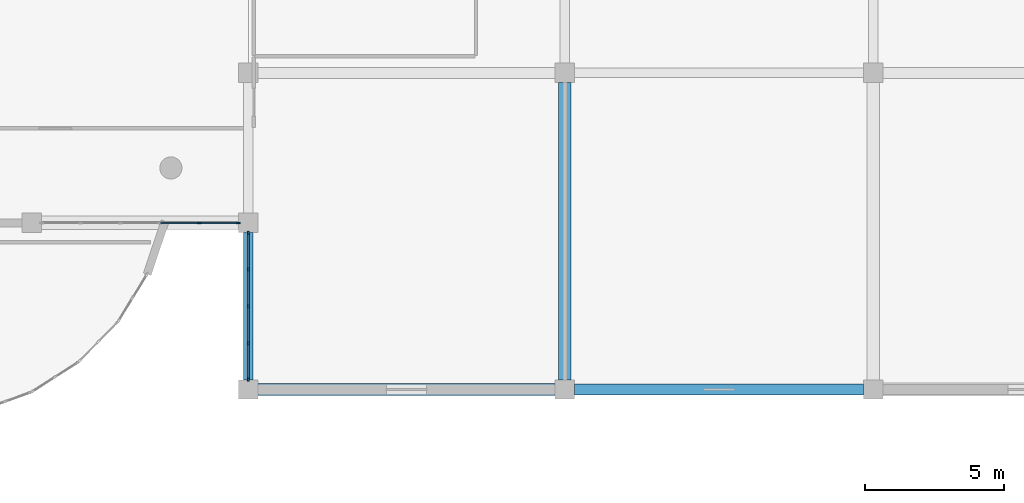
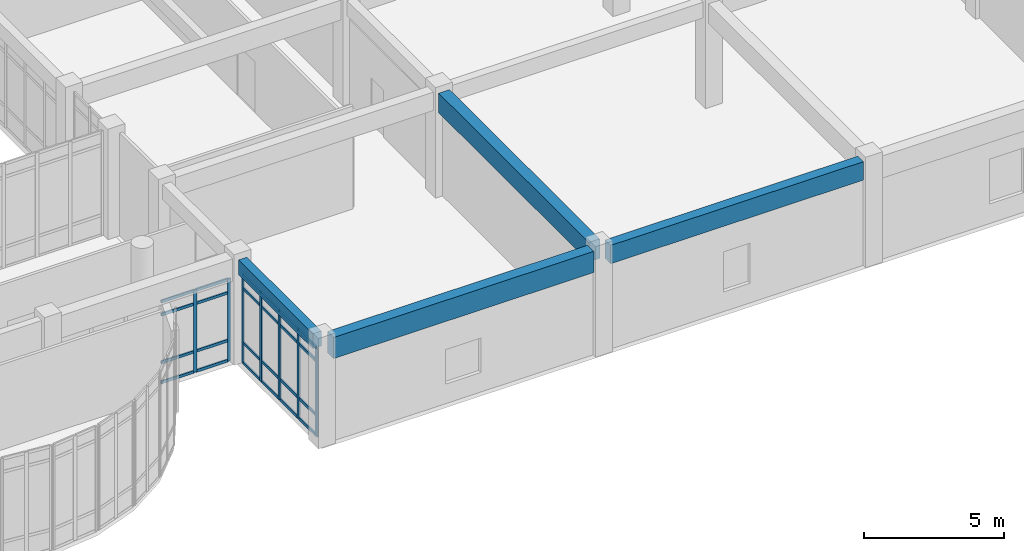
# One storey, part 23 of 65: 31 members, 4 beams, 2 elements without a shape of their own.
"""IFC4 building model written with IfcOpenShell, lengths in metres."""

from ifc_helpers import new_model, si_unit, direction, frame, origin, origin_2d, place, context, subcontext, project, spatial, rectangle, extrude, material, layer, layer_set, material_profile, profile_set, type_object, element, aggregate, save


model = new_model("IFC4")

# Units and contexts
model_context = context("Model", 3, precision=1e-05, world=origin(), true_north=direction((0.0, 1.0)))
body_context = subcontext(model_context, "Body", "Model", "MODEL_VIEW")
ifc_project = project(units=[si_unit("LENGTHUNIT", "METRE"), si_unit("AREAUNIT", "SQUARE_METRE"), si_unit("VOLUMEUNIT", "CUBIC_METRE"), si_unit("PLANEANGLEUNIT", "RADIAN"), si_unit("MASSUNIT", "GRAM", prefix="KILO")], contexts=[model_context])

# Site, building, storey
site_placement = place(None, origin())
site = spatial("IfcSite", under=ifc_project, at=site_placement, CompositionType="ELEMENT")
building_placement = place(site_placement, origin())
building = spatial("IfcBuilding", under=site, at=building_placement, Name="Miralva Faculty of Natural Sciences", CompositionType="ELEMENT")
storey_placement = place(building_placement, frame((0.0, 0.0, 10.199951171875)))
storey = spatial("IfcBuildingStorey", under=building, at=storey_placement, Name="L02", CompositionType="ELEMENT", Elevation=10.199951171875)

# Beams
ifc_material_1 = material(Name="Concrete C40/50", Category="concrete")
ifc_material_profile_1 = material_profile(ifc_material_1, rectangle(XDim=0.449951171875, YDim=0.85009765625, at=origin_2d()), Name="RC 450x850")
ifc_profile_set_1 = profile_set([ifc_material_profile_1], Name="Concrete C40/50")
beam_type_1 = type_object("IfcBeamType", Name="BM-B01", PredefinedType="BEAM", material=ifc_profile_set_1)
beam_1_placement = place(storey_placement, frame((145.199951171875, 12.35009765625, 4.094970703125), z_axis=(0.0, 1.0, 0.0), x_axis=(-1.0, 0.0, 0.0)))
element("IfcBeam", 1, at=beam_1_placement, inside=storey, type_object=beam_type_1, Name="Girder NS L02-127", PredefinedType="BEAM", context=body_context, shape_type="SweptSolid", body=[
    extrude(rectangle(XDim=0.449951171875, YDim=0.85009765625, at=origin_2d()), origin(), (0.0, 0.0, 1.0), 10.699951171875),
])
ifc_material_profile_2 = material_profile(ifc_material_1, rectangle(XDim=0.39990234375, YDim=0.800048828125, at=origin_2d()), Name="RC 400x800")
ifc_profile_set_2 = profile_set([ifc_material_profile_2], Name="Concrete C40/50")
beam_type_2 = type_object("IfcBeamType", Name="BM-B02", PredefinedType="BEAM", material=ifc_profile_set_2)
beam_2_placement = place(storey_placement, frame((145.550048828125, 12.0, 4.1201171875), z_axis=(1.0, 0.0, 0.0), x_axis=(0.0, 1.0, 0.0)))
element("IfcBeam", 2, at=beam_2_placement, inside=storey, type_object=beam_type_2, Name="Girder EW L02-12", PredefinedType="BEAM", context=body_context, shape_type="SweptSolid", body=[
    extrude(rectangle(XDim=0.39990234375, YDim=0.800048828125, at=origin_2d()), origin(), (0.0, 0.0, 1.0), 10.39990234375),
])
ifc_material_profile_3 = material_profile(ifc_material_1, rectangle(XDim=0.35009765625, YDim=0.64990234375, at=origin_2d()), Name="RC 350x650")
ifc_profile_set_3 = profile_set([ifc_material_profile_3], Name="Concrete C40/50")
beam_type_3 = type_object("IfcBeamType", Name="BM-B05", PredefinedType="BEAM", material=ifc_profile_set_3)
beam_3_placement = place(storey_placement, frame((133.800048828125, 12.35009765625, 4.195068359375), z_axis=(0.0, 1.0, 0.0), x_axis=(-1.0, 0.0, 0.0)))
element("IfcBeam", 3, at=beam_3_placement, inside=storey, type_object=beam_type_3, Name="Girder NS L02-120", PredefinedType="BEAM", context=body_context, shape_type="SweptSolid", body=[
    extrude(rectangle(XDim=0.35009765625, YDim=0.64990234375, at=origin_2d()), origin(), (0.0, 0.0, 1.0), 5.2998046875),
])
ifc_material_profile_4 = material_profile(ifc_material_1, rectangle(XDim=0.43994140625, YDim=0.919921875, at=origin_2d()), Name="RC 440x920")
ifc_profile_set_4 = profile_set([ifc_material_profile_4], Name="Concrete C40/50")
beam_type_4 = type_object("IfcBeamType", Name="BM-BG14", PredefinedType="BEAM", material=ifc_profile_set_4)
beam_4_placement = place(storey_placement, frame((134.14990234375, 12.0, 4.06005859375), z_axis=(1.0, 0.0, 0.0), x_axis=(0.0, 1.0, 0.0)))
element("IfcBeam", 4, at=beam_4_placement, inside=storey, type_object=beam_type_4, Name="Girder EW L02-11", PredefinedType="BEAM", context=body_context, shape_type="SweptSolid", body=[
    extrude(rectangle(XDim=0.43994140625, YDim=0.919921875, at=origin_2d()), origin(), (0.0, 0.0, 1.0), 10.7001953125),
])

# Curtain wall, members
ifc_material_2 = material(Name="Laminated solar-control glass", Category="glass")
ifc_layer = layer(ifc_material_2, 0.179931640625, Name="CW-COM-L01")
ifc_layer_set = layer_set([ifc_layer], Name="Laminated solar-control glass")
curtain_wall_type = type_object("IfcCurtainWallType", Name="CW-COM-L01", PredefinedType="USERDEFINED", material=ifc_layer_set)
curtain_wall_1_placement = place(storey_placement, origin())
curtain_wall_1 = element("IfcCurtainWall", 5, at=curtain_wall_1_placement, inside=storey, type_object=curtain_wall_type, Name="Curtain wall CW-10 L02-268", ObjectType="UNITISED CURTAIN WALL", PredefinedType="USERDEFINED")
ifc_material_3 = material(Name="Anodised aluminium", Category="aluminium")
ifc_material_profile_5 = material_profile(ifc_material_3, rectangle(XDim=0.06005859375, YDim=0.139892578125, at=origin_2d()), Name="MULLION 60x140")
ifc_profile_set_5 = profile_set([ifc_material_profile_5], Name="Anodised aluminium")
member_type_1 = type_object("IfcMemberType", Name="CW-M03", PredefinedType="MULLION", material=ifc_profile_set_5)
member_1_placement = place(storey_placement, frame((133.800048828125, 12.364990234375, 0.0), z_axis=(0.0, 0.0, 1.0), x_axis=(-1.0, 0.0, 0.0)))
member_1 = element("IfcMember", 6, at=member_1_placement, type_object=member_type_1, Name="CW-10 mullion 1", PredefinedType="MULLION", context=body_context, shape_type="SweptSolid", body=[
    extrude(rectangle(XDim=0.06005859375, YDim=0.139892578125, at=origin_2d()), origin(), (0.0, 0.0, 1.0), 3.864990234375),
])
member_2_placement = place(storey_placement, frame((133.800048828125, 13.66748046875, 0.0), z_axis=(0.0, 0.0, 1.0), x_axis=(-1.0, 0.0, 0.0)))
member_2 = element("IfcMember", 7, at=member_2_placement, type_object=member_type_1, Name="CW-10 mullion 2", PredefinedType="MULLION", context=body_context, shape_type="SweptSolid", body=[
    extrude(rectangle(XDim=0.06005859375, YDim=0.139892578125, at=origin_2d()), origin(), (0.0, 0.0, 1.0), 3.864990234375),
])
member_3_placement = place(storey_placement, frame((133.800048828125, 15.0, 0.0), z_axis=(0.0, 0.0, 1.0), x_axis=(-1.0, 0.0, 0.0)))
member_3 = element("IfcMember", 8, at=member_3_placement, type_object=member_type_1, Name="CW-10 mullion 3", PredefinedType="MULLION", context=body_context, shape_type="SweptSolid", body=[
    extrude(rectangle(XDim=0.06005859375, YDim=0.139892578125, at=origin_2d()), origin(), (0.0, 0.0, 1.0), 3.864990234375),
])
member_4_placement = place(storey_placement, frame((133.800048828125, 16.33251953125, 0.0), z_axis=(0.0, 0.0, 1.0), x_axis=(-1.0, 0.0, 0.0)))
member_4 = element("IfcMember", 9, at=member_4_placement, type_object=member_type_1, Name="CW-10 mullion 4", PredefinedType="MULLION", context=body_context, shape_type="SweptSolid", body=[
    extrude(rectangle(XDim=0.06005859375, YDim=0.139892578125, at=origin_2d()), origin(), (0.0, 0.0, 1.0), 3.864990234375),
])
member_5_placement = place(storey_placement, frame((133.800048828125, 17.635009765625, 0.0), z_axis=(0.0, 0.0, 1.0), x_axis=(-1.0, 0.0, 0.0)))
member_5 = element("IfcMember", 10, at=member_5_placement, type_object=member_type_1, Name="CW-10 mullion 5", PredefinedType="MULLION", context=body_context, shape_type="SweptSolid", body=[
    extrude(rectangle(XDim=0.06005859375, YDim=0.139892578125, at=origin_2d()), origin(), (0.0, 0.0, 1.0), 3.864990234375),
])

curtain_wall_2_placement = place(storey_placement, origin())
curtain_wall_2 = element("IfcCurtainWall", 11, at=curtain_wall_2_placement, inside=storey, type_object=curtain_wall_type, Name="Curtain wall CW-10 L02-296", ObjectType="UNITISED CURTAIN WALL", PredefinedType="USERDEFINED")
member_6_placement = place(storey_placement, frame((132.0390625, 18.0, 0.0), z_axis=(0.0, 0.0, 1.0), x_axis=(0.0, 1.0, 0.0)))
member_6 = element("IfcMember", 12, at=member_6_placement, type_object=member_type_1, Name="CW-10 mullion 5", PredefinedType="MULLION", context=body_context, shape_type="SweptSolid", body=[
    extrude(rectangle(XDim=0.06005859375, YDim=0.139892578125, at=origin_2d()), origin(), (0.0, 0.0, 1.0), 3.574951171875),
])
member_7_placement = place(storey_placement, frame((133.43505859375, 18.0, 0.0), z_axis=(0.0, 0.0, 1.0), x_axis=(0.0, 1.0, 0.0)))
member_7 = element("IfcMember", 13, at=member_7_placement, type_object=member_type_1, Name="CW-10 mullion 6", PredefinedType="MULLION", context=body_context, shape_type="SweptSolid", body=[
    extrude(rectangle(XDim=0.06005859375, YDim=0.139892578125, at=origin_2d()), origin(), (0.0, 0.0, 1.0), 3.574951171875),
])

# Member
ifc_material_profile_6 = material_profile(ifc_material_3, rectangle(XDim=0.06005859375, YDim=0.1201171875, at=origin_2d()), Name="TRANSOM 60x120")
ifc_profile_set_6 = profile_set([ifc_material_profile_6], Name="Anodised aluminium")
member_type_2 = type_object("IfcMemberType", Name="CW-T02", PredefinedType="USERDEFINED", material=ifc_profile_set_6)
member_8_placement = place(storey_placement, frame((133.800048828125, 12.39501953125, 0.030029296875), z_axis=(0.0, 1.0, 0.0), x_axis=(-1.0, 0.0, 0.0)))
member_8 = element("IfcMember", 14, at=member_8_placement, type_object=member_type_2, Name="CW-10 transom 1.1", ObjectType="TRANSOM", PredefinedType="USERDEFINED", context=body_context, shape_type="SweptSolid", body=[
    extrude(rectangle(XDim=0.06005859375, YDim=0.1201171875, at=origin_2d()), origin(), (0.0, 0.0, 1.0), 1.242431640625),
])

member_9_placement = place(storey_placement, frame((133.800048828125, 12.39501953125, 0.900146484375), z_axis=(0.0, 1.0, 0.0), x_axis=(-1.0, 0.0, 0.0)))
member_9 = element("IfcMember", 15, at=member_9_placement, type_object=member_type_2, Name="CW-10 transom 1.2", ObjectType="TRANSOM", PredefinedType="USERDEFINED", context=body_context, shape_type="SweptSolid", body=[
    extrude(rectangle(XDim=0.06005859375, YDim=0.1201171875, at=origin_2d()), origin(), (0.0, 0.0, 1.0), 1.242431640625),
])

member_10_placement = place(storey_placement, frame((133.800048828125, 12.39501953125, 3.26513671875), z_axis=(0.0, 1.0, 0.0), x_axis=(-1.0, 0.0, 0.0)))
member_10 = element("IfcMember", 16, at=member_10_placement, type_object=member_type_2, Name="CW-10 transom 1.3", ObjectType="TRANSOM", PredefinedType="USERDEFINED", context=body_context, shape_type="SweptSolid", body=[
    extrude(rectangle(XDim=0.06005859375, YDim=0.1201171875, at=origin_2d()), origin(), (0.0, 0.0, 1.0), 1.242431640625),
])

member_11_placement = place(storey_placement, frame((133.800048828125, 12.39501953125, 3.8349609375), z_axis=(0.0, 1.0, 0.0), x_axis=(-1.0, 0.0, 0.0)))
member_11 = element("IfcMember", 17, at=member_11_placement, type_object=member_type_2, Name="CW-10 transom 1.4", ObjectType="TRANSOM", PredefinedType="USERDEFINED", context=body_context, shape_type="SweptSolid", body=[
    extrude(rectangle(XDim=0.06005859375, YDim=0.1201171875, at=origin_2d()), origin(), (0.0, 0.0, 1.0), 1.242431640625),
])

member_12_placement = place(storey_placement, frame((133.800048828125, 13.697509765625, 0.030029296875), z_axis=(0.0, 1.0, 0.0), x_axis=(-1.0, 0.0, 0.0)))
member_12 = element("IfcMember", 18, at=member_12_placement, type_object=member_type_2, Name="CW-10 transom 2.1", ObjectType="TRANSOM", PredefinedType="USERDEFINED", context=body_context, shape_type="SweptSolid", body=[
    extrude(rectangle(XDim=0.06005859375, YDim=0.1201171875, at=origin_2d()), origin(), (0.0, 0.0, 1.0), 1.2724609375),
])

member_13_placement = place(storey_placement, frame((133.800048828125, 13.697509765625, 0.900146484375), z_axis=(0.0, 1.0, 0.0), x_axis=(-1.0, 0.0, 0.0)))
member_13 = element("IfcMember", 19, at=member_13_placement, type_object=member_type_2, Name="CW-10 transom 2.2", ObjectType="TRANSOM", PredefinedType="USERDEFINED", context=body_context, shape_type="SweptSolid", body=[
    extrude(rectangle(XDim=0.06005859375, YDim=0.1201171875, at=origin_2d()), origin(), (0.0, 0.0, 1.0), 1.2724609375),
])

member_14_placement = place(storey_placement, frame((133.800048828125, 13.697509765625, 3.26513671875), z_axis=(0.0, 1.0, 0.0), x_axis=(-1.0, 0.0, 0.0)))
member_14 = element("IfcMember", 20, at=member_14_placement, type_object=member_type_2, Name="CW-10 transom 2.3", ObjectType="TRANSOM", PredefinedType="USERDEFINED", context=body_context, shape_type="SweptSolid", body=[
    extrude(rectangle(XDim=0.06005859375, YDim=0.1201171875, at=origin_2d()), origin(), (0.0, 0.0, 1.0), 1.2724609375),
])

member_15_placement = place(storey_placement, frame((133.800048828125, 13.697509765625, 3.8349609375), z_axis=(0.0, 1.0, 0.0), x_axis=(-1.0, 0.0, 0.0)))
member_15 = element("IfcMember", 21, at=member_15_placement, type_object=member_type_2, Name="CW-10 transom 2.4", ObjectType="TRANSOM", PredefinedType="USERDEFINED", context=body_context, shape_type="SweptSolid", body=[
    extrude(rectangle(XDim=0.06005859375, YDim=0.1201171875, at=origin_2d()), origin(), (0.0, 0.0, 1.0), 1.2724609375),
])

member_16_placement = place(storey_placement, frame((133.800048828125, 15.030029296875, 0.030029296875), z_axis=(0.0, 1.0, 0.0), x_axis=(-1.0, 0.0, 0.0)))
member_16 = element("IfcMember", 22, at=member_16_placement, type_object=member_type_2, Name="CW-10 transom 3.1", ObjectType="TRANSOM", PredefinedType="USERDEFINED", context=body_context, shape_type="SweptSolid", body=[
    extrude(rectangle(XDim=0.06005859375, YDim=0.1201171875, at=origin_2d()), origin(), (0.0, 0.0, 1.0), 1.2724609375),
])

member_17_placement = place(storey_placement, frame((133.800048828125, 15.030029296875, 0.900146484375), z_axis=(0.0, 1.0, 0.0), x_axis=(-1.0, 0.0, 0.0)))
member_17 = element("IfcMember", 23, at=member_17_placement, type_object=member_type_2, Name="CW-10 transom 3.2", ObjectType="TRANSOM", PredefinedType="USERDEFINED", context=body_context, shape_type="SweptSolid", body=[
    extrude(rectangle(XDim=0.06005859375, YDim=0.1201171875, at=origin_2d()), origin(), (0.0, 0.0, 1.0), 1.2724609375),
])

member_18_placement = place(storey_placement, frame((133.800048828125, 15.030029296875, 3.26513671875), z_axis=(0.0, 1.0, 0.0), x_axis=(-1.0, 0.0, 0.0)))
member_18 = element("IfcMember", 24, at=member_18_placement, type_object=member_type_2, Name="CW-10 transom 3.3", ObjectType="TRANSOM", PredefinedType="USERDEFINED", context=body_context, shape_type="SweptSolid", body=[
    extrude(rectangle(XDim=0.06005859375, YDim=0.1201171875, at=origin_2d()), origin(), (0.0, 0.0, 1.0), 1.2724609375),
])

member_19_placement = place(storey_placement, frame((133.800048828125, 15.030029296875, 3.8349609375), z_axis=(0.0, 1.0, 0.0), x_axis=(-1.0, 0.0, 0.0)))
member_19 = element("IfcMember", 25, at=member_19_placement, type_object=member_type_2, Name="CW-10 transom 3.4", ObjectType="TRANSOM", PredefinedType="USERDEFINED", context=body_context, shape_type="SweptSolid", body=[
    extrude(rectangle(XDim=0.06005859375, YDim=0.1201171875, at=origin_2d()), origin(), (0.0, 0.0, 1.0), 1.2724609375),
])

member_20_placement = place(storey_placement, frame((133.800048828125, 16.362548828125, 0.030029296875), z_axis=(0.0, 1.0, 0.0), x_axis=(-1.0, 0.0, 0.0)))
member_20 = element("IfcMember", 26, at=member_20_placement, type_object=member_type_2, Name="CW-10 transom 4.1", ObjectType="TRANSOM", PredefinedType="USERDEFINED", context=body_context, shape_type="SweptSolid", body=[
    extrude(rectangle(XDim=0.06005859375, YDim=0.1201171875, at=origin_2d()), origin(), (0.0, 0.0, 1.0), 1.242431640625),
])

member_21_placement = place(storey_placement, frame((133.800048828125, 16.362548828125, 0.900146484375), z_axis=(0.0, 1.0, 0.0), x_axis=(-1.0, 0.0, 0.0)))
member_21 = element("IfcMember", 27, at=member_21_placement, type_object=member_type_2, Name="CW-10 transom 4.2", ObjectType="TRANSOM", PredefinedType="USERDEFINED", context=body_context, shape_type="SweptSolid", body=[
    extrude(rectangle(XDim=0.06005859375, YDim=0.1201171875, at=origin_2d()), origin(), (0.0, 0.0, 1.0), 1.242431640625),
])

member_22_placement = place(storey_placement, frame((133.800048828125, 16.362548828125, 3.26513671875), z_axis=(0.0, 1.0, 0.0), x_axis=(-1.0, 0.0, 0.0)))
member_22 = element("IfcMember", 28, at=member_22_placement, type_object=member_type_2, Name="CW-10 transom 4.3", ObjectType="TRANSOM", PredefinedType="USERDEFINED", context=body_context, shape_type="SweptSolid", body=[
    extrude(rectangle(XDim=0.06005859375, YDim=0.1201171875, at=origin_2d()), origin(), (0.0, 0.0, 1.0), 1.242431640625),
])

member_23_placement = place(storey_placement, frame((133.800048828125, 16.362548828125, 3.8349609375), z_axis=(0.0, 1.0, 0.0), x_axis=(-1.0, 0.0, 0.0)))
member_23 = element("IfcMember", 29, at=member_23_placement, type_object=member_type_2, Name="CW-10 transom 4.4", ObjectType="TRANSOM", PredefinedType="USERDEFINED", context=body_context, shape_type="SweptSolid", body=[
    extrude(rectangle(XDim=0.06005859375, YDim=0.1201171875, at=origin_2d()), origin(), (0.0, 0.0, 1.0), 1.242431640625),
])

aggregate(curtain_wall_1, [member_1, member_2, member_3, member_4, member_5, member_8, member_9, member_10, member_11, member_12, member_13, member_14, member_15, member_16, member_17, member_18, member_19, member_20, member_21, member_22, member_23])

member_24_placement = place(storey_placement, frame((130.64306640625, 18.0, 0.030029296875), z_axis=(1.0, 0.0, 0.0), x_axis=(0.0, 1.0, 0.0)))
member_24 = element("IfcMember", 30, at=member_24_placement, type_object=member_type_2, Name="CW-10 transom 4.1", ObjectType="TRANSOM", PredefinedType="USERDEFINED", context=body_context, shape_type="SweptSolid", body=[
    extrude(rectangle(XDim=0.06005859375, YDim=0.1201171875, at=origin_2d()), origin(), (0.0, 0.0, 1.0), 1.365966796875),
])

member_25_placement = place(storey_placement, frame((130.64306640625, 18.0, 0.900146484375), z_axis=(1.0, 0.0, 0.0), x_axis=(0.0, 1.0, 0.0)))
member_25 = element("IfcMember", 31, at=member_25_placement, type_object=member_type_2, Name="CW-10 transom 4.2", ObjectType="TRANSOM", PredefinedType="USERDEFINED", context=body_context, shape_type="SweptSolid", body=[
    extrude(rectangle(XDim=0.06005859375, YDim=0.1201171875, at=origin_2d()), origin(), (0.0, 0.0, 1.0), 1.365966796875),
])

member_26_placement = place(storey_placement, frame((130.64306640625, 18.0, 2.97509765625), z_axis=(1.0, 0.0, 0.0), x_axis=(0.0, 1.0, 0.0)))
member_26 = element("IfcMember", 32, at=member_26_placement, type_object=member_type_2, Name="CW-10 transom 4.3", ObjectType="TRANSOM", PredefinedType="USERDEFINED", context=body_context, shape_type="SweptSolid", body=[
    extrude(rectangle(XDim=0.06005859375, YDim=0.1201171875, at=origin_2d()), origin(), (0.0, 0.0, 1.0), 1.365966796875),
])

member_27_placement = place(storey_placement, frame((130.64306640625, 18.0, 3.545166015625), z_axis=(1.0, 0.0, 0.0), x_axis=(0.0, 1.0, 0.0)))
member_27 = element("IfcMember", 33, at=member_27_placement, type_object=member_type_2, Name="CW-10 transom 4.4", ObjectType="TRANSOM", PredefinedType="USERDEFINED", context=body_context, shape_type="SweptSolid", body=[
    extrude(rectangle(XDim=0.06005859375, YDim=0.1201171875, at=origin_2d()), origin(), (0.0, 0.0, 1.0), 1.365966796875),
])

member_28_placement = place(storey_placement, frame((132.069091796875, 18.0, 0.030029296875), z_axis=(1.0, 0.0, 0.0), x_axis=(0.0, 1.0, 0.0)))
member_28 = element("IfcMember", 34, at=member_28_placement, type_object=member_type_2, Name="CW-10 transom 5.1", ObjectType="TRANSOM", PredefinedType="USERDEFINED", context=body_context, shape_type="SweptSolid", body=[
    extrude(rectangle(XDim=0.06005859375, YDim=0.1201171875, at=origin_2d()), origin(), (0.0, 0.0, 1.0), 1.3359375),
])

member_29_placement = place(storey_placement, frame((132.069091796875, 18.0, 0.900146484375), z_axis=(1.0, 0.0, 0.0), x_axis=(0.0, 1.0, 0.0)))
member_29 = element("IfcMember", 35, at=member_29_placement, type_object=member_type_2, Name="CW-10 transom 5.2", ObjectType="TRANSOM", PredefinedType="USERDEFINED", context=body_context, shape_type="SweptSolid", body=[
    extrude(rectangle(XDim=0.06005859375, YDim=0.1201171875, at=origin_2d()), origin(), (0.0, 0.0, 1.0), 1.3359375),
])

member_30_placement = place(storey_placement, frame((132.069091796875, 18.0, 2.97509765625), z_axis=(1.0, 0.0, 0.0), x_axis=(0.0, 1.0, 0.0)))
member_30 = element("IfcMember", 36, at=member_30_placement, type_object=member_type_2, Name="CW-10 transom 5.3", ObjectType="TRANSOM", PredefinedType="USERDEFINED", context=body_context, shape_type="SweptSolid", body=[
    extrude(rectangle(XDim=0.06005859375, YDim=0.1201171875, at=origin_2d()), origin(), (0.0, 0.0, 1.0), 1.3359375),
])

member_31_placement = place(storey_placement, frame((132.069091796875, 18.0, 3.545166015625), z_axis=(1.0, 0.0, 0.0), x_axis=(0.0, 1.0, 0.0)))
member_31 = element("IfcMember", 37, at=member_31_placement, type_object=member_type_2, Name="CW-10 transom 5.4", ObjectType="TRANSOM", PredefinedType="USERDEFINED", context=body_context, shape_type="SweptSolid", body=[
    extrude(rectangle(XDim=0.06005859375, YDim=0.1201171875, at=origin_2d()), origin(), (0.0, 0.0, 1.0), 1.3359375),
])

aggregate(curtain_wall_2, [member_6, member_7, member_24, member_25, member_26, member_27, member_28, member_29, member_30, member_31])

save(model, "model.ifc")
